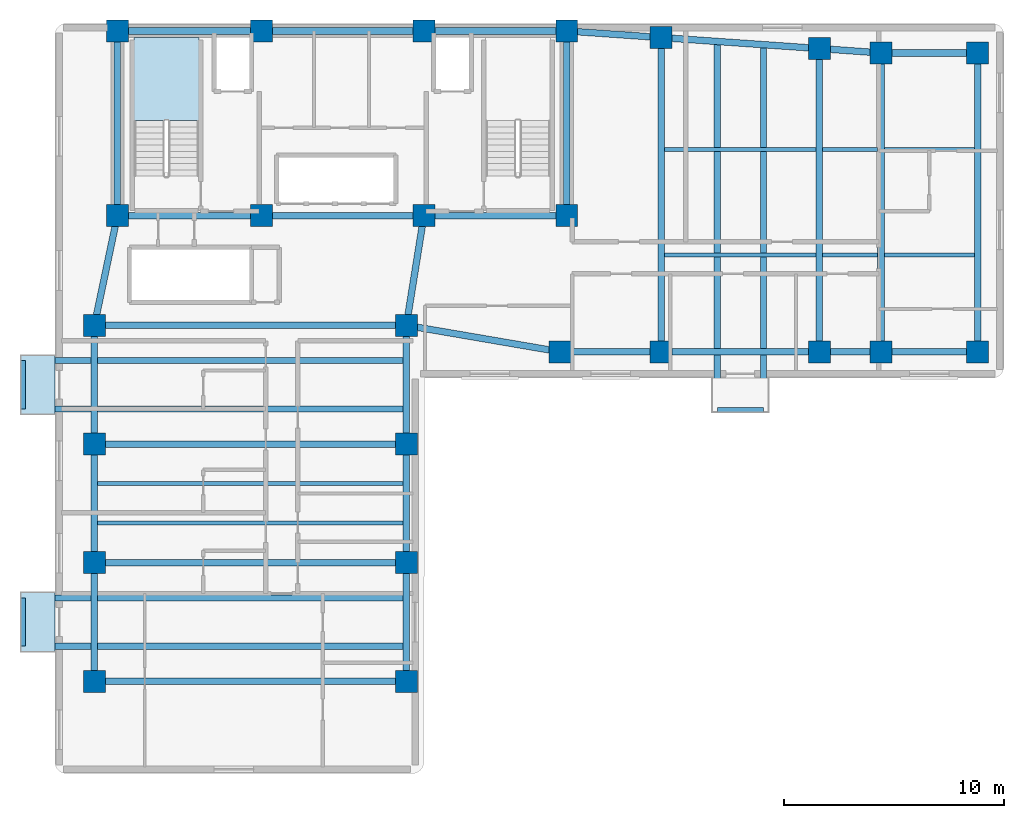
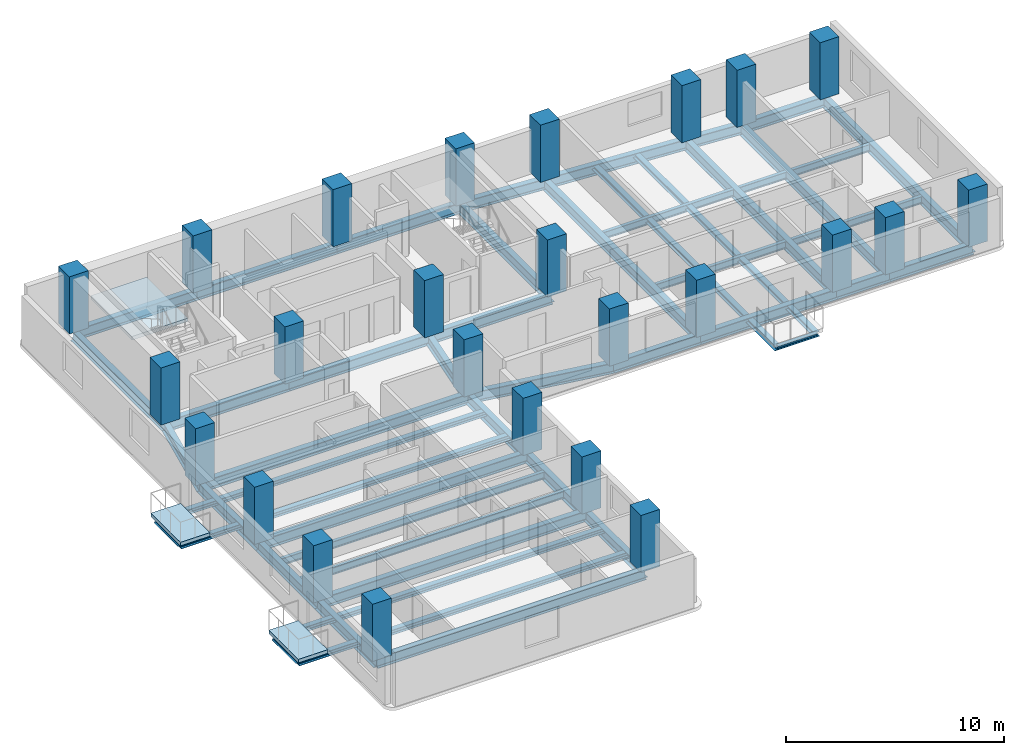
# One storey, part 1 of 7: 50 beams, 25 columns, 3 slabs, 1 element without a shape of its own.
"""IFC4 building model written with IfcOpenShell, lengths in metres."""

from ifc_helpers import new_model, si_unit, direction, frame, origin, origin_2d, place, context, subcontext, project, spatial, polyline, rectangle, i_section, outline, extrude, material, layer, layer_set, material_profile, profile_set, type_object, element, aggregate, save


model = new_model("IFC4")

# Units and contexts
model_context = context("Model", 3, precision=1e-05, world=origin(), true_north=direction((0.0, 1.0)))
body_context = subcontext(model_context, "Body", "Model", "MODEL_VIEW")
ifc_project = project(units=[si_unit("LENGTHUNIT", "METRE"), si_unit("AREAUNIT", "SQUARE_METRE"), si_unit("VOLUMEUNIT", "CUBIC_METRE"), si_unit("PLANEANGLEUNIT", "RADIAN"), si_unit("MASSUNIT", "GRAM", prefix="KILO")], contexts=[model_context])

# Site, building, storey
site_placement = place(None, origin())
site = spatial("IfcSite", under=ifc_project, at=site_placement, CompositionType="ELEMENT")
building_placement = place(site_placement, origin())
building = spatial("IfcBuilding", under=site, at=building_placement, Name="Kuzgunbayir Cultural Tower", CompositionType="ELEMENT")
storey_placement = place(building_placement, frame((0.0, 0.0, 123.39990234375)))
storey = spatial("IfcBuildingStorey", under=building, at=storey_placement, Name="L35", CompositionType="ELEMENT", Elevation=123.39990234375)

# Columns
ifc_material_1 = material(Name="Concrete C50/60", Category="concrete")
ifc_material_profile_1 = material_profile(ifc_material_1, rectangle(XDim=1.0, YDim=1.0, at=origin_2d()), Name="RC 1000x1000")
ifc_profile_set_1 = profile_set([ifc_material_profile_1], Name="Concrete C50/60")
column_type_1 = type_object("IfcColumnType", Name="COL-CORE-1000", PredefinedType="COLUMN", material=ifc_profile_set_1)
for number, where, z_axis, x_axis, name in (
    (1, (6.449951171875, 33.800048828125, 0.0), (0.0, 0.0, 1.0), (1.0, 0.0, 0.0), "L35 T1 Core Boundary Column CC1-1"),
    (2, (13.0, 33.800048828125, 0.0), (0.0, 0.0, 1.0), (1.0, 0.0, 0.0), "L35 T1 Core Boundary Column CC1-2"),
    (3, (20.39990234375, 33.800048828125, 0.0), (0.0, 0.0, 1.0), (1.0, 0.0, 0.0), "L35 T1 Core Boundary Column CC1-3"),
    (4, (26.89990234375, 33.800048828125, 0.0), (0.0, 0.0, 1.0), (1.0, 0.0, 0.0), "L35 T1 Core Boundary Column CC1-4"),
    (5, (6.449951171875, 42.199951171875, 0.0), (0.0, 0.0, 1.0), (1.0, 0.0, 0.0), "L35 T1 Core Boundary Column CC1-5"),
    (6, (13.0, 42.199951171875, 0.0), (0.0, 0.0, 1.0), (1.0, 0.0, 0.0), "L35 T1 Core Boundary Column CC1-6"),
    (7, (20.39990234375, 42.199951171875, 0.0), (0.0, 0.0, 1.0), (1.0, 0.0, 0.0), "L35 T1 Core Boundary Column CC1-7"),
    (8, (26.89990234375, 42.199951171875, 0.0), (0.0, 0.0, 1.0), (1.0, 0.0, 0.0), "L35 T1 Core Boundary Column CC1-8"),
):
    element("IfcColumn", number, at=place(storey_placement, frame(where, z_axis=z_axis, x_axis=x_axis)), inside=storey, type_object=column_type_1, Name=name, PredefinedType="COLUMN", context=body_context, shape_type="SweptSolid", body=[
        extrude(rectangle(XDim=1.0, YDim=1.0, at=origin_2d()), origin(), (0.0, 0.0, 1.0), 3.2001953125),
    ])
ifc_material_profile_2 = material_profile(ifc_material_1, rectangle(XDim=1.0, YDim=1.0, at=origin_2d()), Name="RC 1000x1000")
ifc_profile_set_2 = profile_set([ifc_material_profile_2], Name="Concrete C50/60")
column_type_2 = type_object("IfcColumnType", Name="COL-T1-1000", PredefinedType="COLUMN", material=ifc_profile_set_2)
for number, where, z_axis, x_axis, name in (
    (9, (5.39990234375, 12.60009765625, 0.0), (0.0, 0.0, 1.0), (1.0, 0.0, 0.0), "L35 Tower 1 Wing A Column T1A-W-1"),
    (10, (19.60009765625, 12.60009765625, 0.0), (0.0, 0.0, 1.0), (1.0, 0.0, 0.0), "L35 Tower 1 Wing A Column T1A-E-1"),
    (11, (5.39990234375, 18.0, 0.0), (0.0, 0.0, 1.0), (1.0, 0.0, 0.0), "L35 Tower 1 Wing A Column T1A-W-2"),
    (12, (19.60009765625, 18.0, 0.0), (0.0, 0.0, 1.0), (1.0, 0.0, 0.0), "L35 Tower 1 Wing A Column T1A-E-2"),
    (13, (5.39990234375, 23.39990234375, 0.0), (0.0, 0.0, 1.0), (1.0, 0.0, 0.0), "L35 Tower 1 Wing A Column T1A-W-3"),
    (14, (19.60009765625, 23.39990234375, 0.0), (0.0, 0.0, 1.0), (1.0, 0.0, 0.0), "L35 Tower 1 Wing A Column T1A-E-3"),
    (15, (5.39990234375, 28.800048828125, 0.0), (0.0, 0.0, 1.0), (1.0, 0.0, 0.0), "L35 Tower 1 Wing A Column T1A-W-4"),
    (16, (19.60009765625, 28.800048828125, 0.0), (0.0, 0.0, 1.0), (1.0, 0.0, 0.0), "L35 Tower 1 Wing A Column T1A-E-4"),
    (17, (26.60009765625, 27.60009765625, 0.0), (0.0, 0.0, 1.0), (1.0, 0.0, 0.0), "L35 Tower 1 Wing B Column T1B-1-1"),
    (18, (31.199951171875, 27.60009765625, 0.0), (0.0, 0.0, 1.0), (1.0, 0.0, 0.0), "L35 Tower 1 Wing B Column T1B-2-1"),
    (19, (31.199951171875, 41.89990234375, 0.0), (0.0, 0.0, 1.0), (1.0, 0.0, 0.0), "L35 Tower 1 Wing B Column T1B-2-2"),
    (20, (38.39990234375, 27.60009765625, 0.0), (0.0, 0.0, 1.0), (1.0, 0.0, 0.0), "L35 Tower 1 Wing B Column T1B-3-1"),
    (21, (38.39990234375, 41.39990234375, 0.0), (0.0, 0.0, 1.0), (1.0, 0.0, 0.0), "L35 Tower 1 Wing B Column T1B-3-2"),
    (22, (41.199951171875, 27.60009765625, 0.0), (0.0, 0.0, 1.0), (1.0, 0.0, 0.0), "L35 Tower 1 Wing B Column T1B-4-1"),
    (23, (41.199951171875, 41.199951171875, 0.0), (0.0, 0.0, 1.0), (1.0, 0.0, 0.0), "L35 Tower 1 Wing B Column T1B-4-2"),
    (24, (45.60009765625, 27.60009765625, 0.0), (0.0, 0.0, 1.0), (1.0, 0.0, 0.0), "L35 Tower 1 Wing B Column T1B-5-1"),
    (25, (45.60009765625, 41.199951171875, 0.0), (0.0, 0.0, 1.0), (1.0, 0.0, 0.0), "L35 Tower 1 Wing B Column T1B-5-2"),
):
    element("IfcColumn", number, at=place(storey_placement, frame(where, z_axis=z_axis, x_axis=x_axis)), inside=storey, type_object=column_type_2, Name=name, PredefinedType="COLUMN", context=body_context, shape_type="SweptSolid", body=[
        extrude(rectangle(XDim=1.0, YDim=1.0, at=origin_2d()), origin(), (0.0, 0.0, 1.0), 3.2001953125),
    ])

# Beams
ifc_material_2 = material(Name="Steel S355J2", Category="steel")
ifc_material_profile_3 = material_profile(ifc_material_2, i_section(OverallWidth=0.280029296875, OverallDepth=0.280029296875, WebThickness=0.010498046875, FlangeThickness=0.01806640625, FilletRadius=0.02392578125, at=origin_2d()), Name="HEB 280")
ifc_profile_set_3 = profile_set([ifc_material_profile_3], Name="Steel S355J2")
beam_type_1 = type_object("IfcBeamType", Name="BM-BAL-HEB280", PredefinedType="BEAM", material=ifc_profile_set_3)
for number, where, z_axis, x_axis, name in (
    (26, (2.159912109375, 14.199951171875, -0.33984375), (1.0, 0.0, 0.0), (0.0, 1.0, 0.0), "L35 Balcony Outrigger Beam BAL-L35-WA1.1"),
    (27, (2.159912109375, 16.39990234375, -0.33984375), (1.0, 0.0, 0.0), (0.0, 1.0, 0.0), "L35 Balcony Outrigger Beam BAL-L35-WA1.2"),
    (28, (2.159912109375, 25.0, -0.33984375), (1.0, 0.0, 0.0), (0.0, 1.0, 0.0), "L35 Balcony Outrigger Beam BAL-L35-WA3.1"),
    (29, (2.159912109375, 27.199951171875, -0.33984375), (1.0, 0.0, 0.0), (0.0, 1.0, 0.0), "L35 Balcony Outrigger Beam BAL-L35-WA3.2"),
):
    element("IfcBeam", number, at=place(storey_placement, frame(where, z_axis=z_axis, x_axis=x_axis)), inside=storey, type_object=beam_type_1, Name=name, PredefinedType="BEAM", context=body_context, shape_type="SweptSolid", body=[
        extrude(i_section(OverallWidth=0.280029296875, OverallDepth=0.280029296875, WebThickness=0.010498046875, FlangeThickness=0.01806640625, FilletRadius=0.02392578125, at=origin_2d()), origin(), (0.0, 0.0, 1.0), 17.440185546875),
    ])
beam_1_placement = place(storey_placement, frame((33.75, 24.9599609375, -0.33984375), z_axis=(0.0, 1.0, 0.0), x_axis=(-1.0, 0.0, 0.0)))
element("IfcBeam", 30, at=beam_1_placement, inside=storey, type_object=beam_type_1, Name="L35 Balcony Outrigger Beam BAL-L35-WB2.1", PredefinedType="BEAM", context=body_context, shape_type="SweptSolid", body=[
    extrude(i_section(OverallWidth=0.280029296875, OverallDepth=0.280029296875, WebThickness=0.010498046875, FlangeThickness=0.01806640625, FilletRadius=0.02392578125, at=origin_2d()), origin(), (0.0, 0.0, 1.0), 16.760009765625),
])
beam_2_placement = place(storey_placement, frame((35.85009765625, 24.9599609375, -0.33984375), z_axis=(0.0, 1.0, 0.0), x_axis=(-1.0, 0.0, 0.0)))
element("IfcBeam", 31, at=beam_2_placement, inside=storey, type_object=beam_type_1, Name="L35 Balcony Outrigger Beam BAL-L35-WB2.2", PredefinedType="BEAM", context=body_context, shape_type="SweptSolid", body=[
    extrude(i_section(OverallWidth=0.280029296875, OverallDepth=0.280029296875, WebThickness=0.010498046875, FlangeThickness=0.01806640625, FilletRadius=0.02392578125, at=origin_2d()), origin(), (0.0, 0.0, 1.0), 16.6201171875),
])
ifc_material_profile_4 = material_profile(ifc_material_2, i_section(OverallWidth=0.199951171875, OverallDepth=0.199951171875, WebThickness=0.009033203125, FlangeThickness=0.014892578125, FilletRadius=0.01806640625, at=origin_2d()), Name="HEB 200")
ifc_profile_set_4 = profile_set([ifc_material_profile_4], Name="Steel S355J2")
beam_type_2 = type_object("IfcBeamType", Name="BM-CAN-HEB200", PredefinedType="BEAM", material=ifc_profile_set_4)
for number, where, z_axis, x_axis, name in (
    (32, (2.159912109375, 14.199951171875, -0.2998046875), (0.0, 1.0, 0.0), (-1.0, 0.0, 0.0), "L35 Balcony Edge Header BAL-L35-WA1"),
    (33, (2.159912109375, 25.0, -0.2998046875), (0.0, 1.0, 0.0), (-1.0, 0.0, 0.0), "L35 Balcony Edge Header BAL-L35-WA3"),
):
    element("IfcBeam", number, at=place(storey_placement, frame(where, z_axis=z_axis, x_axis=x_axis)), inside=storey, type_object=beam_type_2, Name=name, PredefinedType="BEAM", context=body_context, shape_type="SweptSolid", body=[
        extrude(i_section(OverallWidth=0.199951171875, OverallDepth=0.199951171875, WebThickness=0.009033203125, FlangeThickness=0.014892578125, FilletRadius=0.01806640625, at=origin_2d()), origin(), (0.0, 0.0, 1.0), 2.199951171875),
    ])
beam_3_placement = place(storey_placement, frame((33.75, 24.9599609375, -0.2998046875), z_axis=(1.0, 0.0, 0.0), x_axis=(0.0, 1.0, 0.0)))
element("IfcBeam", 34, at=beam_3_placement, inside=storey, type_object=beam_type_2, Name="L35 Balcony Edge Header BAL-L35-WB2", PredefinedType="BEAM", context=body_context, shape_type="SweptSolid", body=[
    extrude(i_section(OverallWidth=0.199951171875, OverallDepth=0.199951171875, WebThickness=0.009033203125, FlangeThickness=0.014892578125, FilletRadius=0.01806640625, at=origin_2d()), origin(), (0.0, 0.0, 1.0), 2.10009765625),
])
ifc_material_profile_5 = material_profile(ifc_material_2, i_section(OverallWidth=0.300048828125, OverallDepth=0.60009765625, WebThickness=0.015380859375, FlangeThickness=0.030029296875, FilletRadius=0.027099609375, at=origin_2d()), Name="HEB 600")
ifc_profile_set_5 = profile_set([ifc_material_profile_5], Name="Steel S355J2")
beam_type_3 = type_object("IfcBeamType", Name="BM-EXT-HEB600", PredefinedType="BEAM", material=ifc_profile_set_5)
for number, where, z_axis, x_axis, name in (
    (35, (5.39990234375, 12.60009765625, -0.47998046875), (0.0, 1.0, 0.0), (-1.0, 0.0, 0.0), "L35 Wing A West Girder 1"),
    (36, (19.60009765625, 12.60009765625, -0.47998046875), (0.0, 1.0, 0.0), (-1.0, 0.0, 0.0), "L35 Wing A East Girder 1"),
    (37, (5.39990234375, 18.0, -0.47998046875), (0.0, 1.0, 0.0), (-1.0, 0.0, 0.0), "L35 Wing A West Girder 2"),
    (38, (19.60009765625, 18.0, -0.47998046875), (0.0, 1.0, 0.0), (-1.0, 0.0, 0.0), "L35 Wing A East Girder 2"),
):
    element("IfcBeam", number, at=place(storey_placement, frame(where, z_axis=z_axis, x_axis=x_axis)), inside=storey, type_object=beam_type_3, Name=name, PredefinedType="BEAM", context=body_context, shape_type="SweptSolid", body=[
        extrude(i_section(OverallWidth=0.300048828125, OverallDepth=0.60009765625, WebThickness=0.015380859375, FlangeThickness=0.030029296875, FilletRadius=0.027099609375, at=origin_2d()), origin(), (0.0, 0.0, 1.0), 5.39990234375),
    ])
for number, where, z_axis, x_axis, name in (
    (39, (5.39990234375, 23.39990234375, -0.47998046875), (0.0, 1.0, 0.0), (-1.0, 0.0, 0.0), "L35 Wing A West Girder 3"),
    (40, (19.60009765625, 23.39990234375, -0.47998046875), (0.0, 1.0, 0.0), (-1.0, 0.0, 0.0), "L35 Wing A East Girder 3"),
):
    element("IfcBeam", number, at=place(storey_placement, frame(where, z_axis=z_axis, x_axis=x_axis)), inside=storey, type_object=beam_type_3, Name=name, PredefinedType="BEAM", context=body_context, shape_type="SweptSolid", body=[
        extrude(i_section(OverallWidth=0.300048828125, OverallDepth=0.60009765625, WebThickness=0.015380859375, FlangeThickness=0.030029296875, FilletRadius=0.027099609375, at=origin_2d()), origin(), (0.0, 0.0, 1.0), 5.400146484375),
    ])
beam_4_placement = place(storey_placement, frame((26.60009765625, 27.60009765625, -0.47998046875), z_axis=(1.0, 0.0, 0.0), x_axis=(0.0, 1.0, 0.0)))
element("IfcBeam", 41, at=beam_4_placement, inside=storey, type_object=beam_type_3, Name="L35 Wing B South Girder 1", PredefinedType="BEAM", context=body_context, shape_type="SweptSolid", body=[
    extrude(i_section(OverallWidth=0.300048828125, OverallDepth=0.60009765625, WebThickness=0.015380859375, FlangeThickness=0.030029296875, FilletRadius=0.027099609375, at=origin_2d()), origin(), (0.0, 0.0, 1.0), 4.599853515625),
])
beam_5_placement = place(storey_placement, frame((26.89990234375, 42.199951171875, -0.47998046875), z_axis=(0.997574369175, -0.069608749203, 0.0), x_axis=(0.069608749203, 0.997574369175, 0.0)))
element("IfcBeam", 42, at=beam_5_placement, inside=storey, type_object=beam_type_3, Name="L35 Wing B North Girder 1", PredefinedType="BEAM", context=body_context, shape_type="SweptSolid", body=[
    extrude(i_section(OverallWidth=0.300048828125, OverallDepth=0.60009765625, WebThickness=0.015380859375, FlangeThickness=0.030029296875, FilletRadius=0.027099609375, at=origin_2d()), origin(), (0.0, 0.0, 1.0), 4.310546875),
])
beam_6_placement = place(storey_placement, frame((31.199951171875, 27.60009765625, -0.47998046875), z_axis=(1.0, 0.0, 0.0), x_axis=(0.0, 1.0, 0.0)))
element("IfcBeam", 43, at=beam_6_placement, inside=storey, type_object=beam_type_3, Name="L35 Wing B South Girder 2", PredefinedType="BEAM", context=body_context, shape_type="SweptSolid", body=[
    extrude(i_section(OverallWidth=0.300048828125, OverallDepth=0.60009765625, WebThickness=0.015380859375, FlangeThickness=0.030029296875, FilletRadius=0.027099609375, at=origin_2d()), origin(), (0.0, 0.0, 1.0), 7.199951171875),
])
beam_7_placement = place(storey_placement, frame((31.199951171875, 41.89990234375, -0.47998046875), z_axis=(0.997597388498, -0.069278066245, 0.0), x_axis=(0.069278066245, 0.997597388498, 0.0)))
element("IfcBeam", 44, at=beam_7_placement, inside=storey, type_object=beam_type_3, Name="L35 Wing B North Girder 2", PredefinedType="BEAM", context=body_context, shape_type="SweptSolid", body=[
    extrude(i_section(OverallWidth=0.300048828125, OverallDepth=0.60009765625, WebThickness=0.015380859375, FlangeThickness=0.030029296875, FilletRadius=0.027099609375, at=origin_2d()), origin(), (0.0, 0.0, 1.0), 7.21728515625),
])
beam_8_placement = place(storey_placement, frame((38.39990234375, 27.60009765625, -0.47998046875), z_axis=(1.0, 0.0, 0.0), x_axis=(0.0, 1.0, 0.0)))
element("IfcBeam", 45, at=beam_8_placement, inside=storey, type_object=beam_type_3, Name="L35 Wing B South Girder 3", PredefinedType="BEAM", context=body_context, shape_type="SweptSolid", body=[
    extrude(i_section(OverallWidth=0.300048828125, OverallDepth=0.60009765625, WebThickness=0.015380859375, FlangeThickness=0.030029296875, FilletRadius=0.027099609375, at=origin_2d()), origin(), (0.0, 0.0, 1.0), 2.800048828125),
])
beam_9_placement = place(storey_placement, frame((38.39990234375, 41.39990234375, -0.47998046875), z_axis=(0.997460024076, -0.071228508128, 0.0), x_axis=(0.071228508128, 0.997460024076, 0.0)))
element("IfcBeam", 46, at=beam_9_placement, inside=storey, type_object=beam_type_3, Name="L35 Wing B North Girder 3", PredefinedType="BEAM", context=body_context, shape_type="SweptSolid", body=[
    extrude(i_section(OverallWidth=0.300048828125, OverallDepth=0.60009765625, WebThickness=0.015380859375, FlangeThickness=0.030029296875, FilletRadius=0.027099609375, at=origin_2d()), origin(), (0.0, 0.0, 1.0), 2.80712890625),
])
for number, where, z_axis, x_axis, name in (
    (47, (41.199951171875, 27.60009765625, -0.47998046875), (1.0, 0.0, 0.0), (0.0, 1.0, 0.0), "L35 Wing B South Girder 4"),
    (48, (41.199951171875, 41.199951171875, -0.47998046875), (1.0, 0.0, 0.0), (0.0, 1.0, 0.0), "L35 Wing B North Girder 4"),
):
    element("IfcBeam", number, at=place(storey_placement, frame(where, z_axis=z_axis, x_axis=x_axis)), inside=storey, type_object=beam_type_3, Name=name, PredefinedType="BEAM", context=body_context, shape_type="SweptSolid", body=[
        extrude(i_section(OverallWidth=0.300048828125, OverallDepth=0.60009765625, WebThickness=0.015380859375, FlangeThickness=0.030029296875, FilletRadius=0.027099609375, at=origin_2d()), origin(), (0.0, 0.0, 1.0), 4.400146484375),
    ])
ifc_material_profile_6 = material_profile(ifc_material_2, i_section(OverallWidth=0.300048828125, OverallDepth=0.60009765625, WebThickness=0.015380859375, FlangeThickness=0.030029296875, FilletRadius=0.027099609375, at=origin_2d()), Name="HEB 600")
ifc_profile_set_6 = profile_set([ifc_material_profile_6], Name="Steel S355J2")
beam_type_4 = type_object("IfcBeamType", Name="BM-GIR-HEB600", PredefinedType="BEAM", material=ifc_profile_set_6)
beam_10_placement = place(storey_placement, frame((6.449951171875, 33.800048828125, -0.47998046875), z_axis=(1.0, 0.0, 0.0), x_axis=(0.0, 1.0, 0.0)))
element("IfcBeam", 49, at=beam_10_placement, inside=storey, type_object=beam_type_4, Name="L35 Core South Girder 1", PredefinedType="BEAM", context=body_context, shape_type="SweptSolid", body=[
    extrude(i_section(OverallWidth=0.300048828125, OverallDepth=0.60009765625, WebThickness=0.015380859375, FlangeThickness=0.030029296875, FilletRadius=0.027099609375, at=origin_2d()), origin(), (0.0, 0.0, 1.0), 6.550048828125),
])
beam_11_placement = place(storey_placement, frame((13.0, 33.800048828125, -0.47998046875), z_axis=(1.0, 0.0, 0.0), x_axis=(0.0, 1.0, 0.0)))
element("IfcBeam", 50, at=beam_11_placement, inside=storey, type_object=beam_type_4, Name="L35 Core South Girder 2", PredefinedType="BEAM", context=body_context, shape_type="SweptSolid", body=[
    extrude(i_section(OverallWidth=0.300048828125, OverallDepth=0.60009765625, WebThickness=0.015380859375, FlangeThickness=0.030029296875, FilletRadius=0.027099609375, at=origin_2d()), origin(), (0.0, 0.0, 1.0), 7.39990234375),
])
beam_12_placement = place(storey_placement, frame((20.39990234375, 33.800048828125, -0.47998046875), z_axis=(1.0, 0.0, 0.0), x_axis=(0.0, 1.0, 0.0)))
element("IfcBeam", 51, at=beam_12_placement, inside=storey, type_object=beam_type_4, Name="L35 Core South Girder 3", PredefinedType="BEAM", context=body_context, shape_type="SweptSolid", body=[
    extrude(i_section(OverallWidth=0.300048828125, OverallDepth=0.60009765625, WebThickness=0.015380859375, FlangeThickness=0.030029296875, FilletRadius=0.027099609375, at=origin_2d()), origin(), (0.0, 0.0, 1.0), 6.5),
])
beam_13_placement = place(storey_placement, frame((6.449951171875, 42.199951171875, -0.47998046875), z_axis=(1.0, 0.0, 0.0), x_axis=(0.0, 1.0, 0.0)))
element("IfcBeam", 52, at=beam_13_placement, inside=storey, type_object=beam_type_4, Name="L35 Core North Girder 1", PredefinedType="BEAM", context=body_context, shape_type="SweptSolid", body=[
    extrude(i_section(OverallWidth=0.300048828125, OverallDepth=0.60009765625, WebThickness=0.015380859375, FlangeThickness=0.030029296875, FilletRadius=0.027099609375, at=origin_2d()), origin(), (0.0, 0.0, 1.0), 6.550048828125),
])
beam_14_placement = place(storey_placement, frame((13.0, 42.199951171875, -0.47998046875), z_axis=(1.0, 0.0, 0.0), x_axis=(0.0, 1.0, 0.0)))
element("IfcBeam", 53, at=beam_14_placement, inside=storey, type_object=beam_type_4, Name="L35 Core North Girder 2", PredefinedType="BEAM", context=body_context, shape_type="SweptSolid", body=[
    extrude(i_section(OverallWidth=0.300048828125, OverallDepth=0.60009765625, WebThickness=0.015380859375, FlangeThickness=0.030029296875, FilletRadius=0.027099609375, at=origin_2d()), origin(), (0.0, 0.0, 1.0), 7.39990234375),
])
beam_15_placement = place(storey_placement, frame((20.39990234375, 42.199951171875, -0.47998046875), z_axis=(1.0, 0.0, 0.0), x_axis=(0.0, 1.0, 0.0)))
element("IfcBeam", 54, at=beam_15_placement, inside=storey, type_object=beam_type_4, Name="L35 Core North Girder 3", PredefinedType="BEAM", context=body_context, shape_type="SweptSolid", body=[
    extrude(i_section(OverallWidth=0.300048828125, OverallDepth=0.60009765625, WebThickness=0.015380859375, FlangeThickness=0.030029296875, FilletRadius=0.027099609375, at=origin_2d()), origin(), (0.0, 0.0, 1.0), 6.5),
])
for number, where, z_axis, x_axis, name in (
    (55, (6.449951171875, 33.800048828125, -0.47998046875), (0.0, 1.0, 0.0), (-1.0, 0.0, 0.0), "L35 Core West Edge Girder"),
    (56, (26.89990234375, 33.800048828125, -0.47998046875), (0.0, 1.0, 0.0), (-1.0, 0.0, 0.0), "L35 Core East Edge Girder"),
):
    element("IfcBeam", number, at=place(storey_placement, frame(where, z_axis=z_axis, x_axis=x_axis)), inside=storey, type_object=beam_type_4, Name=name, PredefinedType="BEAM", context=body_context, shape_type="SweptSolid", body=[
        extrude(i_section(OverallWidth=0.300048828125, OverallDepth=0.60009765625, WebThickness=0.015380859375, FlangeThickness=0.030029296875, FilletRadius=0.027099609375, at=origin_2d()), origin(), (0.0, 0.0, 1.0), 8.39990234375),
    ])
for number, where, z_axis, x_axis, name in (
    (57, (5.39990234375, 12.60009765625, -0.47998046875), (1.0, 0.0, 0.0), (0.0, 1.0, 0.0), "L35 Wing A Transverse Girder 1"),
    (58, (5.39990234375, 18.0, -0.47998046875), (1.0, 0.0, 0.0), (0.0, 1.0, 0.0), "L35 Wing A Transverse Girder 2"),
    (59, (5.39990234375, 23.39990234375, -0.47998046875), (1.0, 0.0, 0.0), (0.0, 1.0, 0.0), "L35 Wing A Transverse Girder 3"),
    (60, (5.39990234375, 28.800048828125, -0.47998046875), (1.0, 0.0, 0.0), (0.0, 1.0, 0.0), "L35 Wing A Transverse Girder 4"),
):
    element("IfcBeam", number, at=place(storey_placement, frame(where, z_axis=z_axis, x_axis=x_axis)), inside=storey, type_object=beam_type_4, Name=name, PredefinedType="BEAM", context=body_context, shape_type="SweptSolid", body=[
        extrude(i_section(OverallWidth=0.300048828125, OverallDepth=0.60009765625, WebThickness=0.015380859375, FlangeThickness=0.030029296875, FilletRadius=0.027099609375, at=origin_2d()), origin(), (0.0, 0.0, 1.0), 14.2001953125),
    ])
beam_16_placement = place(storey_placement, frame((5.39990234375, 28.800048828125, -0.47998046875), z_axis=(0.205526387753, 0.978651574329, 0.0), x_axis=(-0.978651574329, 0.205526387753, 0.0)))
element("IfcBeam", 61, at=beam_16_placement, inside=storey, type_object=beam_type_4, Name="L35 Wing A West Core Floor Girder", PredefinedType="BEAM", context=body_context, shape_type="SweptSolid", body=[
    extrude(i_section(OverallWidth=0.300048828125, OverallDepth=0.60009765625, WebThickness=0.015380859375, FlangeThickness=0.030029296875, FilletRadius=0.027099609375, at=origin_2d()), origin(), (0.0, 0.0, 1.0), 5.109130859375),
])
beam_17_placement = place(storey_placement, frame((19.60009765625, 28.800048828125, -0.47998046875), z_axis=(0.157952891656, 0.987446648694, 0.0), x_axis=(-0.987446648694, 0.157952891656, 0.0)))
element("IfcBeam", 62, at=beam_17_placement, inside=storey, type_object=beam_type_4, Name="L35 Wing A East Core Floor Girder", PredefinedType="BEAM", context=body_context, shape_type="SweptSolid", body=[
    extrude(i_section(OverallWidth=0.300048828125, OverallDepth=0.60009765625, WebThickness=0.015380859375, FlangeThickness=0.030029296875, FilletRadius=0.027099609375, at=origin_2d()), origin(), (0.0, 0.0, 1.0), 5.0634765625),
])
beam_18_placement = place(storey_placement, frame((31.199951171875, 27.60009765625, -0.47998046875), z_axis=(0.0, 1.0, 0.0), x_axis=(-1.0, 0.0, 0.0)))
element("IfcBeam", 63, at=beam_18_placement, inside=storey, type_object=beam_type_4, Name="L35 Wing B Cross Girder 31", PredefinedType="BEAM", context=body_context, shape_type="SweptSolid", body=[
    extrude(i_section(OverallWidth=0.300048828125, OverallDepth=0.60009765625, WebThickness=0.015380859375, FlangeThickness=0.030029296875, FilletRadius=0.027099609375, at=origin_2d()), origin(), (0.0, 0.0, 1.0), 14.2998046875),
])
beam_19_placement = place(storey_placement, frame((38.39990234375, 27.60009765625, -0.47998046875), z_axis=(0.0, 1.0, 0.0), x_axis=(-1.0, 0.0, 0.0)))
element("IfcBeam", 64, at=beam_19_placement, inside=storey, type_object=beam_type_4, Name="L35 Wing B Cross Girder 38", PredefinedType="BEAM", context=body_context, shape_type="SweptSolid", body=[
    extrude(i_section(OverallWidth=0.300048828125, OverallDepth=0.60009765625, WebThickness=0.015380859375, FlangeThickness=0.030029296875, FilletRadius=0.027099609375, at=origin_2d()), origin(), (0.0, 0.0, 1.0), 13.7998046875),
])
for number, where, z_axis, x_axis, name in (
    (65, (41.199951171875, 27.60009765625, -0.47998046875), (0.0, 1.0, 0.0), (-1.0, 0.0, 0.0), "L35 Wing B Cross Girder 41"),
    (66, (45.60009765625, 27.60009765625, -0.47998046875), (0.0, 1.0, 0.0), (-1.0, 0.0, 0.0), "L35 Wing B Cross Girder 45"),
):
    element("IfcBeam", number, at=place(storey_placement, frame(where, z_axis=z_axis, x_axis=x_axis)), inside=storey, type_object=beam_type_4, Name=name, PredefinedType="BEAM", context=body_context, shape_type="SweptSolid", body=[
        extrude(i_section(OverallWidth=0.300048828125, OverallDepth=0.60009765625, WebThickness=0.015380859375, FlangeThickness=0.030029296875, FilletRadius=0.027099609375, at=origin_2d()), origin(), (0.0, 0.0, 1.0), 13.599853515625),
    ])
beam_20_placement = place(storey_placement, frame((19.60009765625, 28.800048828125, -0.47998046875), z_axis=(0.985623399742, -0.168957136221, 0.0), x_axis=(0.168957136221, 0.985623399742, 0.0)))
element("IfcBeam", 67, at=beam_20_placement, inside=storey, type_object=beam_type_4, Name="L35 Wing B Waist Tie Girder", PredefinedType="BEAM", context=body_context, shape_type="SweptSolid", body=[
    extrude(i_section(OverallWidth=0.300048828125, OverallDepth=0.60009765625, WebThickness=0.015380859375, FlangeThickness=0.030029296875, FilletRadius=0.027099609375, at=origin_2d()), origin(), (0.0, 0.0, 1.0), 7.10205078125),
])
ifc_material_profile_7 = material_profile(ifc_material_2, i_section(OverallWidth=0.179931640625, OverallDepth=0.39990234375, WebThickness=0.008544921875, FlangeThickness=0.013427734375, FilletRadius=0.02099609375, at=origin_2d()), Name="IPE 400")
ifc_profile_set_7 = profile_set([ifc_material_profile_7], Name="Steel S355J2")
beam_type_5 = type_object("IfcBeamType", Name="BM-JST-IPE400", PredefinedType="JOIST", material=ifc_profile_set_7)
for number, where, z_axis, x_axis, name in (
    (68, (5.550048828125, 19.800048828125, -0.3798828125), (1.0, 0.0, 0.0), (0.0, 1.0, 0.0), "L35 Wing A Secondary Joist 3"),
    (69, (5.550048828125, 21.60009765625, -0.3798828125), (1.0, 0.0, 0.0), (0.0, 1.0, 0.0), "L35 Wing A Secondary Joist 4"),
):
    element("IfcBeam", number, at=place(storey_placement, frame(where, z_axis=z_axis, x_axis=x_axis)), inside=storey, type_object=beam_type_5, Name=name, PredefinedType="JOIST", context=body_context, shape_type="SweptSolid", body=[
        extrude(i_section(OverallWidth=0.179931640625, OverallDepth=0.39990234375, WebThickness=0.008544921875, FlangeThickness=0.013427734375, FilletRadius=0.02099609375, at=origin_2d()), origin(), (0.0, 0.0, 1.0), 13.89990234375),
    ])
for number, where, z_axis, x_axis, name in (
    (70, (31.35009765625, 32.0, -0.3798828125), (1.0, 0.0, 0.0), (0.0, 1.0, 0.0), "L35 Wing B Secondary Joist 1.1"),
    (71, (31.35009765625, 36.800048828125, -0.3798828125), (1.0, 0.0, 0.0), (0.0, 1.0, 0.0), "L35 Wing B Secondary Joist 1.2"),
):
    element("IfcBeam", number, at=place(storey_placement, frame(where, z_axis=z_axis, x_axis=x_axis)), inside=storey, type_object=beam_type_5, Name=name, PredefinedType="JOIST", context=body_context, shape_type="SweptSolid", body=[
        extrude(i_section(OverallWidth=0.179931640625, OverallDepth=0.39990234375, WebThickness=0.008544921875, FlangeThickness=0.013427734375, FilletRadius=0.02099609375, at=origin_2d()), origin(), (0.0, 0.0, 1.0), 6.89990234375),
    ])
for number, where, z_axis, x_axis, name in (
    (72, (38.550048828125, 32.0, -0.3798828125), (1.0, 0.0, 0.0), (0.0, 1.0, 0.0), "L35 Wing B Secondary Joist 2.1"),
    (73, (38.550048828125, 36.800048828125, -0.3798828125), (1.0, 0.0, 0.0), (0.0, 1.0, 0.0), "L35 Wing B Secondary Joist 2.2"),
):
    element("IfcBeam", number, at=place(storey_placement, frame(where, z_axis=z_axis, x_axis=x_axis)), inside=storey, type_object=beam_type_5, Name=name, PredefinedType="JOIST", context=body_context, shape_type="SweptSolid", body=[
        extrude(i_section(OverallWidth=0.179931640625, OverallDepth=0.39990234375, WebThickness=0.008544921875, FlangeThickness=0.013427734375, FilletRadius=0.02099609375, at=origin_2d()), origin(), (0.0, 0.0, 1.0), 2.5),
    ])
for number, where, z_axis, x_axis, name in (
    (74, (41.35009765625, 32.0, -0.3798828125), (1.0, 0.0, 0.0), (0.0, 1.0, 0.0), "L35 Wing B Secondary Joist 3.1"),
    (75, (41.35009765625, 36.800048828125, -0.3798828125), (1.0, 0.0, 0.0), (0.0, 1.0, 0.0), "L35 Wing B Secondary Joist 3.2"),
):
    element("IfcBeam", number, at=place(storey_placement, frame(where, z_axis=z_axis, x_axis=x_axis)), inside=storey, type_object=beam_type_5, Name=name, PredefinedType="JOIST", context=body_context, shape_type="SweptSolid", body=[
        extrude(i_section(OverallWidth=0.179931640625, OverallDepth=0.39990234375, WebThickness=0.008544921875, FlangeThickness=0.013427734375, FilletRadius=0.02099609375, at=origin_2d()), origin(), (0.0, 0.0, 1.0), 4.099853515625),
    ])

# Slabs
ifc_material_3 = material(Name="Concrete C40/50", Category="concrete")
ifc_layer_1 = layer(ifc_material_3, 0.199951171875)
ifc_layer_set_1 = layer_set([ifc_layer_1], Name="Concrete C40/50")
slab_type_1 = type_object("IfcSlabType", Name="SLB-BAL-STONE", PredefinedType="FLOOR", material=ifc_layer_set_1)
slab_1_placement = place(storey_placement, frame((0.0, 0.0, -0.199951171875)))
element("IfcSlab", 76, at=slab_1_placement, inside=storey, type_object=slab_type_1, Name="L35 Projecting Limestone Balcony BAL-L35-WA1", PredefinedType="FLOOR", context=body_context, shape_type="SweptSolid", body=[
    extrude(outline(polyline([(2.0400390625, 13.949951171875), (3.60009765625, 13.949951171875), (3.60009765625, 16.64990234375), (2.0400390625, 16.64990234375), (2.0400390625, 13.949951171875)])), origin(), (0.0, 0.0, 1.0), 0.199951171875),
])
slab_2_placement = place(storey_placement, frame((0.0, 0.0, -0.199951171875)))
element("IfcSlab", 77, at=slab_2_placement, inside=storey, type_object=slab_type_1, Name="L35 Projecting Limestone Balcony BAL-L35-WA3", PredefinedType="FLOOR", context=body_context, shape_type="SweptSolid", body=[
    extrude(outline(polyline([(2.0400390625, 24.75), (3.60009765625, 24.75), (3.60009765625, 27.449951171875), (2.0400390625, 27.449951171875), (2.0400390625, 24.75)])), origin(), (0.0, 0.0, 1.0), 0.199951171875),
])

# Stair, slab
stair_type = type_object("IfcStairType", Name="STR-EXIT-CORE", PredefinedType="HALF_TURN_STAIR", material=ifc_material_3)
stair_placement = place(storey_placement, origin())
stair = element("IfcStair", 78, at=stair_placement, inside=storey, type_object=stair_type, Name="L35 ST-1", PredefinedType="HALF_TURN_STAIR")
ifc_layer_2 = layer(ifc_material_3, 0.179931640625)
ifc_layer_set_2 = layer_set([ifc_layer_2], Name="Concrete C40/50")
slab_type_2 = type_object("IfcSlabType", Name="SLB-LANDING-180", PredefinedType="LANDING", material=ifc_layer_set_2)
slab_3_placement = place(storey_placement, frame((0.0, 0.0, 1.400146484375)))
slab_3 = element("IfcSlab", 79, at=slab_3_placement, type_object=slab_type_2, Name="ST-1 landing 1", PredefinedType="LANDING", context=body_context, shape_type="SweptSolid", body=[
    extrude(outline(polyline([(10.159912109375, 38.1201171875), (10.159912109375, 41.89990234375), (7.199951171875, 41.89990234375), (7.199951171875, 38.1201171875), (10.159912109375, 38.1201171875)])), origin(), (0.0, 0.0, 1.0), 0.199951171875),
])
aggregate(stair, [slab_3])

save(model, "model.ifc")
